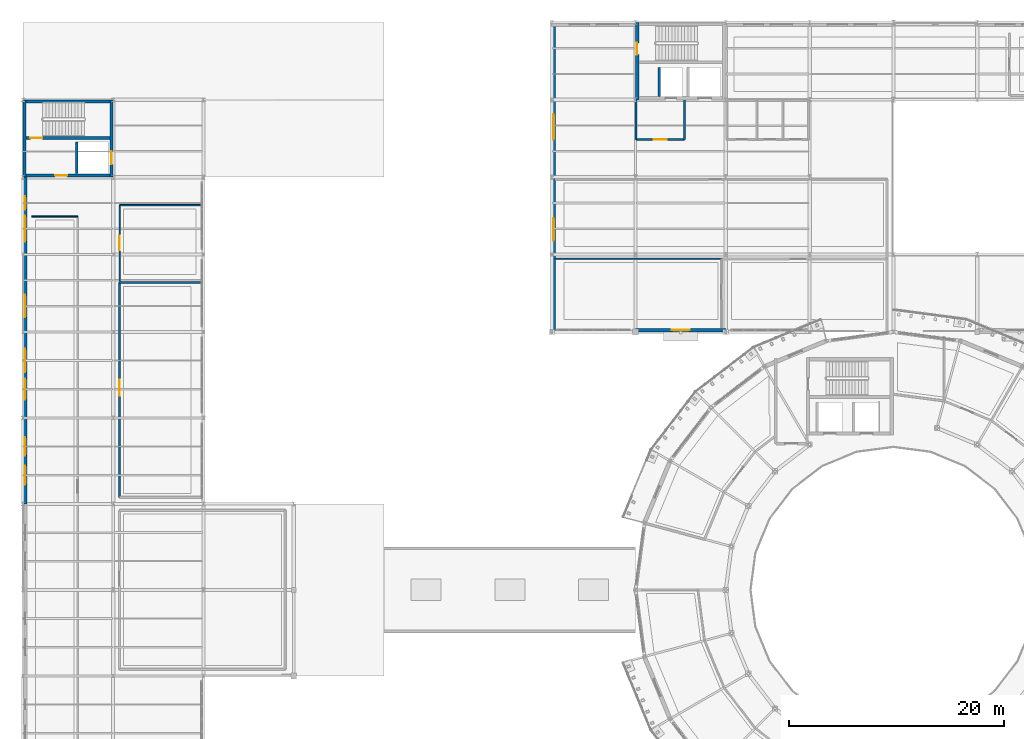
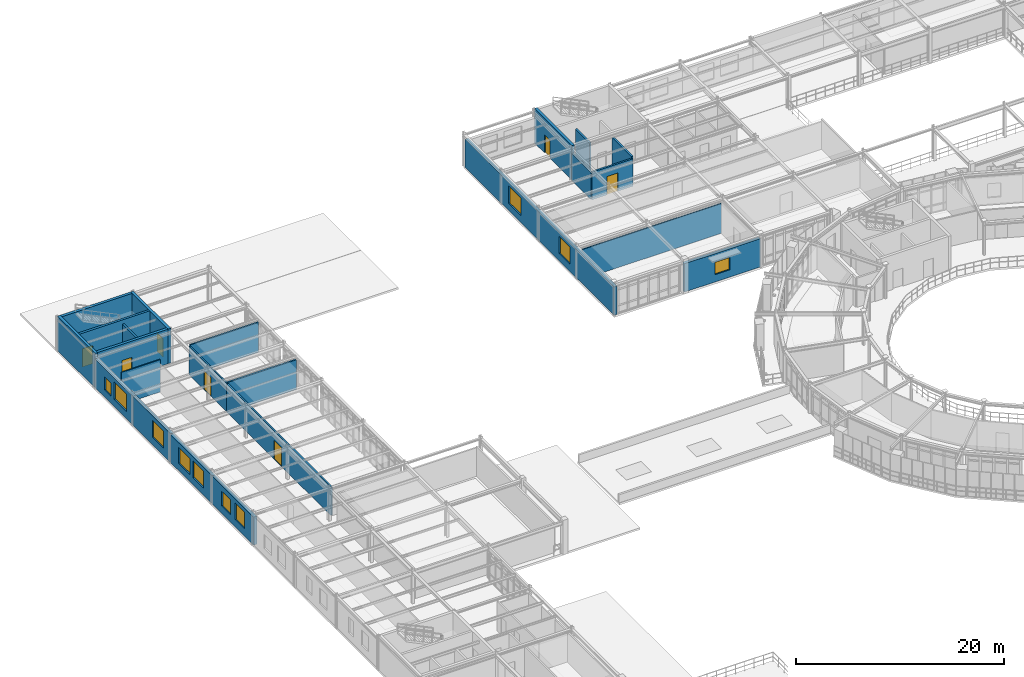
# One storey, part 56 of 70: 23 walls, 10 windows, 7 doors, 17 openings.
"""IFC4 building model written with IfcOpenShell, lengths in metres."""

from ifc_helpers import new_model, si_unit, derived_unit, direction, frame, frame_2d, origin, place, context, subcontext, project, spatial, rectangle, extrude, material, layer, layer_set, type_object, element, fill, save


model = new_model("IFC4")

# Units and contexts
model_context = context("Model", 3, precision=1e-05, world=origin(), true_north=direction((0.0, 1.0)))
body_context = subcontext(model_context, "Body", "Model", "MODEL_VIEW")
ifc_project = project(units=[si_unit("LENGTHUNIT", "METRE"), si_unit("AREAUNIT", "SQUARE_METRE"), si_unit("VOLUMEUNIT", "CUBIC_METRE"), si_unit("PLANEANGLEUNIT", "RADIAN"), si_unit("MASSUNIT", "GRAM", prefix="KILO"), derived_unit("THERMALTRANSMITTANCEUNIT", [(si_unit("POWERUNIT", "WATT"), 1), (si_unit("AREAUNIT", "SQUARE_METRE"), -1), (si_unit("THERMODYNAMICTEMPERATUREUNIT", "KELVIN"), -1)])], contexts=[model_context])

# Site, building, storey
site_placement = place(None, origin())
site = spatial("IfcSite", under=ifc_project, at=site_placement, CompositionType="ELEMENT")
building_placement = place(site_placement, origin())
building = spatial("IfcBuilding", under=site, at=building_placement, Name="Yasenodar Specialist Clinic", CompositionType="ELEMENT")
storey_placement = place(building_placement, frame((0.0, 0.0, 13.199951171875)))
storey = spatial("IfcBuildingStorey", under=building, at=storey_placement, Name="L03", CompositionType="ELEMENT", Elevation=13.199951171875)

# Wall, openings, windows
ifc_material_1 = material(Name="Buff Architectural Terracotta Rainscreen", Category="masonry")
ifc_layer_1 = layer(ifc_material_1, 0.340087890625)
ifc_layer_set_1 = layer_set([ifc_layer_1], Name="Buff Architectural Terracotta Rainscreen")
wall_type_1 = type_object("IfcWallType", Name="EW-TERR-340", PredefinedType="SOLIDWALL", material=ifc_layer_set_1)
wall_1_placement = place(storey_placement, frame((0.199951171875, 66.800048828125, 0.0), z_axis=(0.0, 0.0, 1.0), x_axis=(0.0, 1.0, 0.0)))
wall_1 = element("IfcWall", 1, at=wall_1_placement, inside=storey, type_object=wall_type_1, Name="L03 Exterior Facade Wall 0114", PredefinedType="SOLIDWALL", context=body_context, shape_type="SweptSolid", body=[
    extrude(rectangle(XDim=8.0, YDim=0.340087890625, at=frame_2d((4.0, 0.0))), origin(), (0.0, 0.0, 1.0), 3.278076171875),
])
opening_1_placement = place(wall_1_placement, frame((1.7666015625, 0.0, 0.85009765625)))
opening_1 = element("IfcOpeningElement", 2, at=opening_1_placement, cuts=wall_1, Name="Opening W-05", PredefinedType="OPENING", context=body_context, shape_type="SweptSolid", body=[
    extrude(rectangle(XDim=1.800048828125, YDim=1.949951171875, at=frame_2d((0.89990234375, 0.97509765625))), frame((0.0, 0.18017578125, 0.0), z_axis=(0.0, -1.0, 0.0), x_axis=(1.0, 0.0, 0.0)), (0.0, 0.0, 1.0), 0.360107421875),
])
opening_2_placement = place(wall_1_placement, frame((4.4833984375, 0.0, 0.85009765625)))
opening_2 = element("IfcOpeningElement", 3, at=opening_2_placement, cuts=wall_1, Name="Opening W-12", PredefinedType="OPENING", context=body_context, shape_type="SweptSolid", body=[
    extrude(rectangle(XDim=1.699951171875, YDim=1.75, at=frame_2d((0.85009765625, 0.875))), frame((0.0, 0.18017578125, 0.0), z_axis=(0.0, -1.0, 0.0), x_axis=(1.0, 0.0, 0.0)), (0.0, 0.0, 1.0), 0.360107421875),
])
ifc_material_2 = material(Name="Triple Low-E Argon Glazing in Bronze Aluminium Frame", Category="aluminium")
window_type_1 = type_object("IfcWindowType", Name="WIN-EXT-05", PartitioningType="SINGLE_PANEL", PredefinedType="WINDOW", material=ifc_material_2)
window_1_placement = place(opening_1_placement, origin())
window_1 = element("IfcWindow", 4, at=window_1_placement, inside=storey, type_object=window_type_1, Name="L03 Triple-Glazed Reveal Window 0117", OverallHeight=1.949951171875, OverallWidth=1.800048828125, PartitioningType="SINGLE_PANEL", PredefinedType="WINDOW", context=body_context, shape_type="SweptSolid", body=[
    extrude(rectangle(XDim=1.800048828125, YDim=1.949951171875, at=frame_2d((0.89990234375, 0.97509765625))), frame((0.0, 0.030029296875, 0.0), z_axis=(0.0, -1.0, 0.0), x_axis=(1.0, 0.0, 0.0)), (0.0, 0.0, 1.0), 0.06005859375),
])
fill(opening_1, window_1)
window_type_2 = type_object("IfcWindowType", Name="WIN-EXT-12", PartitioningType="SINGLE_PANEL", PredefinedType="WINDOW", material=ifc_material_2)
window_2_placement = place(opening_2_placement, origin())
window_2 = element("IfcWindow", 5, at=window_2_placement, inside=storey, type_object=window_type_2, Name="L03 Triple-Glazed Reveal Window 0118", OverallHeight=1.75, OverallWidth=1.699951171875, PartitioningType="SINGLE_PANEL", PredefinedType="WINDOW", context=body_context, shape_type="SweptSolid", body=[
    extrude(rectangle(XDim=1.699951171875, YDim=1.75, at=frame_2d((0.85009765625, 0.875))), frame((0.0, 0.030029296875, 0.0), z_axis=(0.0, -1.0, 0.0), x_axis=(1.0, 0.0, 0.0)), (0.0, 0.0, 1.0), 0.06005859375),
])
fill(opening_2, window_2)

wall_2_placement = place(storey_placement, frame((0.199951171875, 74.800048828125, 0.0), z_axis=(0.0, 0.0, 1.0), x_axis=(0.0, 1.0, 0.0)))
wall_2 = element("IfcWall", 6, at=wall_2_placement, inside=storey, type_object=wall_type_1, Name="L03 Exterior Facade Wall 0115", PredefinedType="SOLIDWALL", context=body_context, shape_type="SweptSolid", body=[
    extrude(rectangle(XDim=8.0, YDim=0.340087890625, at=frame_2d((4.0, 0.0))), origin(), (0.0, 0.0, 1.0), 3.278076171875),
])
opening_3_placement = place(wall_2_placement, frame((1.666748046875, 0.0, 0.85009765625)))
opening_3 = element("IfcOpeningElement", 7, at=opening_3_placement, cuts=wall_2, Name="Opening W-06", PredefinedType="OPENING", context=body_context, shape_type="SweptSolid", body=[
    extrude(rectangle(XDim=2.0, YDim=1.949951171875, at=frame_2d((1.0, 0.97509765625))), frame((0.0, 0.18017578125, 0.0), z_axis=(0.0, -1.0, 0.0), x_axis=(1.0, 0.0, 0.0)), (0.0, 0.0, 1.0), 0.360107421875),
])
opening_4_placement = place(wall_2_placement, frame((4.2333984375, 0.0, 0.85009765625)))
opening_4 = element("IfcOpeningElement", 8, at=opening_4_placement, cuts=wall_2, Name="Opening W-13", PredefinedType="OPENING", context=body_context, shape_type="SweptSolid", body=[
    extrude(rectangle(XDim=2.199951171875, YDim=1.85009765625, at=frame_2d((1.10009765625, 0.925048828125))), frame((0.0, 0.18017578125, 0.0), z_axis=(0.0, -1.0, 0.0), x_axis=(1.0, 0.0, 0.0)), (0.0, 0.0, 1.0), 0.360107421875),
])
window_type_3 = type_object("IfcWindowType", Name="WIN-EXT-06", PartitioningType="SINGLE_PANEL", PredefinedType="WINDOW", material=ifc_material_2)
window_3_placement = place(opening_3_placement, origin())
window_3 = element("IfcWindow", 9, at=window_3_placement, inside=storey, type_object=window_type_3, Name="L03 Triple-Glazed Reveal Window 0119", OverallHeight=1.949951171875, OverallWidth=2.0, PartitioningType="SINGLE_PANEL", PredefinedType="WINDOW", context=body_context, shape_type="SweptSolid", body=[
    extrude(rectangle(XDim=2.0, YDim=1.949951171875, at=frame_2d((1.0, 0.97509765625))), frame((0.0, 0.030029296875, 0.0), z_axis=(0.0, -1.0, 0.0), x_axis=(1.0, 0.0, 0.0)), (0.0, 0.0, 1.0), 0.06005859375),
])
fill(opening_3, window_3)
window_type_4 = type_object("IfcWindowType", Name="WIN-EXT-13", PartitioningType="SINGLE_PANEL", PredefinedType="WINDOW", material=ifc_material_2)
window_4_placement = place(opening_4_placement, origin())
window_4 = element("IfcWindow", 10, at=window_4_placement, inside=storey, type_object=window_type_4, Name="L03 Triple-Glazed Reveal Window 0120", OverallHeight=1.85009765625, OverallWidth=2.199951171875, PartitioningType="SINGLE_PANEL", PredefinedType="WINDOW", context=body_context, shape_type="SweptSolid", body=[
    extrude(rectangle(XDim=2.199951171875, YDim=1.85009765625, at=frame_2d((1.10009765625, 0.925048828125))), frame((0.0, 0.030029296875, 0.0), z_axis=(0.0, -1.0, 0.0), x_axis=(1.0, 0.0, 0.0)), (0.0, 0.0, 1.0), 0.06005859375),
])
fill(opening_4, window_4)

# Wall, opening, window
wall_3_placement = place(storey_placement, frame((0.199951171875, 82.800048828125, 0.0), z_axis=(0.0, 0.0, 1.0), x_axis=(0.0, 1.0, 0.0)))
wall_3 = element("IfcWall", 11, at=wall_3_placement, inside=storey, type_object=wall_type_1, Name="L03 Exterior Facade Wall 0116", PredefinedType="SOLIDWALL", context=body_context, shape_type="SweptSolid", body=[
    extrude(rectangle(XDim=7.199951171875, YDim=0.340087890625, at=frame_2d((3.60009765625, 0.0))), origin(), (0.0, 0.0, 1.0), 3.3779296875),
])
opening_5_placement = place(wall_3_placement, frame((1.35009765625, 0.0, 0.85009765625)))
opening_5 = element("IfcOpeningElement", 12, at=opening_5_placement, cuts=wall_3, Name="Opening W-07", PredefinedType="OPENING", context=body_context, shape_type="SweptSolid", body=[
    extrude(rectangle(XDim=2.10009765625, YDim=2.0, at=frame_2d((1.050048828125, 1.0))), frame((0.0, 0.18017578125, 0.0), z_axis=(0.0, -1.0, 0.0), x_axis=(1.0, 0.0, 0.0)), (0.0, 0.0, 1.0), 0.360107421875),
])
window_type_5 = type_object("IfcWindowType", Name="WIN-EXT-07", PartitioningType="SINGLE_PANEL", PredefinedType="WINDOW", material=ifc_material_2)
window_5_placement = place(opening_5_placement, origin())
window_5 = element("IfcWindow", 13, at=window_5_placement, inside=storey, type_object=window_type_5, Name="L03 Triple-Glazed Reveal Window 0121", OverallHeight=2.0, OverallWidth=2.10009765625, PartitioningType="SINGLE_PANEL", PredefinedType="WINDOW", context=body_context, shape_type="SweptSolid", body=[
    extrude(rectangle(XDim=2.10009765625, YDim=2.0, at=frame_2d((1.050048828125, 1.0))), frame((0.0, 0.030029296875, 0.0), z_axis=(0.0, -1.0, 0.0), x_axis=(1.0, 0.0, 0.0)), (0.0, 0.0, 1.0), 0.06005859375),
])
fill(opening_5, window_5)

# Wall, openings, windows
wall_4_placement = place(storey_placement, frame((0.199951171875, 90.0, 0.0), z_axis=(0.0, 0.0, 1.0), x_axis=(0.0, 1.0, 0.0)))
wall_4 = element("IfcWall", 14, at=wall_4_placement, inside=storey, type_object=wall_type_1, Name="L03 Exterior Facade Wall 0117", PredefinedType="SOLIDWALL", context=body_context, shape_type="SweptSolid", body=[
    extrude(rectangle(XDim=7.199951171875, YDim=0.340087890625, at=frame_2d((3.60009765625, 0.0))), origin(), (0.0, 0.0, 1.0), 3.3779296875),
])
opening_6_placement = place(wall_4_placement, frame((1.199951171875, 0.0, 0.85009765625)))
opening_6 = element("IfcOpeningElement", 15, at=opening_6_placement, cuts=wall_4, Name="Opening W-08", PredefinedType="OPENING", context=body_context, shape_type="SweptSolid", body=[
    extrude(rectangle(XDim=2.39990234375, YDim=2.050048828125, at=frame_2d((1.199951171875, 1.02490234375))), frame((0.0, 0.18017578125, 0.0), z_axis=(0.0, -1.0, 0.0), x_axis=(1.0, 0.0, 0.0)), (0.0, 0.0, 1.0), 0.360107421875),
])
opening_7_placement = place(wall_4_placement, frame((4.175048828125, 0.0, 0.85009765625)))
opening_7 = element("IfcOpeningElement", 16, at=opening_7_placement, cuts=wall_4, Name="Opening W-15", PredefinedType="OPENING", context=body_context, shape_type="SweptSolid", body=[
    extrude(rectangle(XDim=1.25, YDim=1.5, at=frame_2d((0.625, 0.75))), frame((0.0, 0.18017578125, 0.0), z_axis=(0.0, -1.0, 0.0), x_axis=(1.0, 0.0, 0.0)), (0.0, 0.0, 1.0), 0.360107421875),
])
window_type_6 = type_object("IfcWindowType", Name="WIN-EXT-08", PartitioningType="SINGLE_PANEL", PredefinedType="WINDOW", material=ifc_material_2)
window_6_placement = place(opening_6_placement, origin())
window_6 = element("IfcWindow", 17, at=window_6_placement, inside=storey, type_object=window_type_6, Name="L03 Triple-Glazed Reveal Window 0122", OverallHeight=2.050048828125, OverallWidth=2.39990234375, PartitioningType="SINGLE_PANEL", PredefinedType="WINDOW", context=body_context, shape_type="SweptSolid", body=[
    extrude(rectangle(XDim=2.39990234375, YDim=2.050048828125, at=frame_2d((1.199951171875, 1.02490234375))), frame((0.0, 0.030029296875, 0.0), z_axis=(0.0, -1.0, 0.0), x_axis=(1.0, 0.0, 0.0)), (0.0, 0.0, 1.0), 0.06005859375),
])
fill(opening_6, window_6)
window_type_7 = type_object("IfcWindowType", Name="WIN-EXT-15", PartitioningType="SINGLE_PANEL", PredefinedType="WINDOW", material=ifc_material_2)
window_7_placement = place(opening_7_placement, origin())
window_7 = element("IfcWindow", 18, at=window_7_placement, inside=storey, type_object=window_type_7, Name="L03 Triple-Glazed Reveal Window 0123", OverallHeight=1.5, OverallWidth=1.25, PartitioningType="SINGLE_PANEL", PredefinedType="WINDOW", context=body_context, shape_type="SweptSolid", body=[
    extrude(rectangle(XDim=1.25, YDim=1.5, at=frame_2d((0.625, 0.75))), frame((0.0, 0.030029296875, 0.0), z_axis=(0.0, -1.0, 0.0), x_axis=(1.0, 0.0, 0.0)), (0.0, 0.0, 1.0), 0.06005859375),
])
fill(opening_7, window_7)

# Wall, opening, window
wall_5_placement = place(storey_placement, frame((65.39990234375, 82.969970703125, 0.0), z_axis=(0.0, 0.0, 1.0), x_axis=(-1.0, 0.0, 0.0)))
wall_5 = element("IfcWall", 19, at=wall_5_placement, inside=storey, type_object=wall_type_1, Name="L03 Exterior Facade Wall 0144", PredefinedType="SOLIDWALL", context=body_context, shape_type="SweptSolid", body=[
    extrude(rectangle(XDim=8.39990234375, YDim=0.340087890625, at=frame_2d((4.199951171875, 0.0))), origin(), (0.0, 0.0, 1.0), 3.318115234375),
])
opening_8_placement = place(wall_5_placement, frame((3.375, 0.0, 0.85009765625)))
opening_8 = element("IfcOpeningElement", 20, at=opening_8_placement, cuts=wall_5, Name="Opening W-20", PredefinedType="OPENING", context=body_context, shape_type="SweptSolid", body=[
    extrude(rectangle(XDim=1.64990234375, YDim=1.449951171875, at=frame_2d((0.824951171875, 0.72509765625))), frame((0.0, 0.18017578125, 0.0), z_axis=(0.0, -1.0, 0.0), x_axis=(1.0, 0.0, 0.0)), (0.0, 0.0, 1.0), 0.360107421875),
])
window_type_8 = type_object("IfcWindowType", Name="WIN-EXT-20", PartitioningType="SINGLE_PANEL", PredefinedType="WINDOW", material=ifc_material_2)
window_8_placement = place(opening_8_placement, origin())
window_8 = element("IfcWindow", 21, at=window_8_placement, inside=storey, type_object=window_type_8, Name="L03 Triple-Glazed Reveal Window 0160", OverallHeight=1.449951171875, OverallWidth=1.64990234375, PartitioningType="SINGLE_PANEL", PredefinedType="WINDOW", context=body_context, shape_type="SweptSolid", body=[
    extrude(rectangle(XDim=1.64990234375, YDim=1.449951171875, at=frame_2d((0.824951171875, 0.72509765625))), frame((0.0, 0.030029296875, 0.0), z_axis=(0.0, -1.0, 0.0), x_axis=(1.0, 0.0, 0.0)), (0.0, 0.0, 1.0), 0.06005859375),
])
fill(opening_8, window_8)

# Wall, openings, windows
wall_6_placement = place(storey_placement, frame((49.3701171875, 82.800048828125, 0.0), z_axis=(0.0, 0.0, 1.0), x_axis=(0.0, 1.0, 0.0)))
wall_6 = element("IfcWall", 22, at=wall_6_placement, inside=storey, type_object=wall_type_1, Name="L03 Exterior Facade Wall 0160", PredefinedType="SOLIDWALL", context=body_context, shape_type="SweptSolid", body=[
    extrude(rectangle(XDim=28.599853515625, YDim=0.340087890625, at=frame_2d((14.2998046875, 0.0))), origin(), (0.0, 0.0, 1.0), 3.318115234375),
])
opening_9_placement = place(wall_6_placement, frame((8.4833984375, 0.0, 0.85009765625)))
opening_9 = element("IfcOpeningElement", 23, at=opening_9_placement, cuts=wall_6, Name="Opening W-07", PredefinedType="OPENING", context=body_context, shape_type="SweptSolid", body=[
    extrude(rectangle(XDim=2.10009765625, YDim=2.0, at=frame_2d((1.050048828125, 1.0))), frame((0.0, 0.18017578125, 0.0), z_axis=(0.0, -1.0, 0.0), x_axis=(1.0, 0.0, 0.0)), (0.0, 0.0, 1.0), 0.360107421875),
])
opening_10_placement = place(wall_6_placement, frame((17.86669921875, 0.0, 0.85009765625)))
opening_10 = element("IfcOpeningElement", 24, at=opening_10_placement, cuts=wall_6, Name="Opening W-08", PredefinedType="OPENING", context=body_context, shape_type="SweptSolid", body=[
    extrude(rectangle(XDim=2.39990234375, YDim=2.050048828125, at=frame_2d((1.199951171875, 1.02490234375))), frame((0.0, 0.18017578125, 0.0), z_axis=(0.0, -1.0, 0.0), x_axis=(1.0, 0.0, 0.0)), (0.0, 0.0, 1.0), 0.360107421875),
])
window_9_placement = place(opening_9_placement, origin())
window_9 = element("IfcWindow", 25, at=window_9_placement, inside=storey, type_object=window_type_5, Name="L03 Triple-Glazed Reveal Window 0176", OverallHeight=2.0, OverallWidth=2.10009765625, PartitioningType="SINGLE_PANEL", PredefinedType="WINDOW", context=body_context, shape_type="SweptSolid", body=[
    extrude(rectangle(XDim=2.10009765625, YDim=2.0, at=frame_2d((1.050048828125, 1.0))), frame((0.0, 0.030029296875, 0.0), z_axis=(0.0, -1.0, 0.0), x_axis=(1.0, 0.0, 0.0)), (0.0, 0.0, 1.0), 0.06005859375),
])
fill(opening_9, window_9)
window_10_placement = place(opening_10_placement, origin())
window_10 = element("IfcWindow", 26, at=window_10_placement, inside=storey, type_object=window_type_6, Name="L03 Triple-Glazed Reveal Window 0177", OverallHeight=2.050048828125, OverallWidth=2.39990234375, PartitioningType="SINGLE_PANEL", PredefinedType="WINDOW", context=body_context, shape_type="SweptSolid", body=[
    extrude(rectangle(XDim=2.39990234375, YDim=2.050048828125, at=frame_2d((1.199951171875, 1.02490234375))), frame((0.0, 0.030029296875, 0.0), z_axis=(0.0, -1.0, 0.0), x_axis=(1.0, 0.0, 0.0)), (0.0, 0.0, 1.0), 0.06005859375),
])
fill(opening_10, window_10)

# Wall, opening, door
ifc_material_3 = material(Name="Acoustic Double-Gypsum Consulting Partition")
ifc_layer_2 = layer(ifc_material_3, 0.159912109375)
ifc_layer_set_2 = layer_set([ifc_layer_2], Name="Acoustic Double-Gypsum Consulting Partition")
wall_type_2 = type_object("IfcWallType", Name="IW-CONS-160", PredefinedType="PARTITIONING", material=ifc_layer_set_2)
wall_7_placement = place(storey_placement, frame((9.0, 94.60009765625, 0.0), z_axis=(0.0, 0.0, 1.0), x_axis=(0.0, -1.0, 0.0)))
wall_7 = element("IfcWall", 27, at=wall_7_placement, inside=storey, type_object=wall_type_2, Name="L03 Cast Removal and Orthotics Room Partition", PredefinedType="PARTITIONING", context=body_context, shape_type="SweptSolid", body=[
    extrude(rectangle(XDim=7.130126953125, YDim=0.159912109375, at=frame_2d((3.56494140625, 0.0))), origin(), (0.0, 0.0, 1.0), 3.338134765625),
])
opening_11_placement = place(wall_7_placement, frame((2.85009765625, 0.0, 0.0)))
opening_11 = element("IfcOpeningElement", 28, at=opening_11_placement, cuts=wall_7, Name="Opening D-11", PredefinedType="OPENING", context=body_context, shape_type="SweptSolid", body=[
    extrude(rectangle(XDim=1.360107421875, YDim=2.199951171875, at=frame_2d((0.68017578125, 1.10009765625))), frame((0.0, 0.08984375, 0.0), z_axis=(0.0, -1.0, 0.0), x_axis=(1.0, 0.0, 0.0)), (0.0, 0.0, 1.0), 0.179931640625),
])
ifc_material_4 = material(Name="Powder-Coated Steel and Acoustic Laminate Leaf", Category="steel")
door_type_1 = type_object("IfcDoorType", Name="DR-PLT-136", OperationType="NOTDEFINED", PredefinedType="DOOR", material=ifc_material_4)
door_1_placement = place(opening_11_placement, origin())
door_1 = element("IfcDoor", 29, at=door_1_placement, inside=storey, type_object=door_type_1, Name="L03 Cast Removal and Orthotics Room Door", OperationType="SINGLE_SWING_LEFT", OverallHeight=2.199951171875, OverallWidth=1.360107421875, PredefinedType="DOOR", context=body_context, shape_type="SweptSolid", body=[
    extrude(rectangle(XDim=1.360107421875, YDim=2.199951171875, at=frame_2d((0.68017578125, 1.10009765625))), frame((0.0, 0.02490234375, 0.0), z_axis=(0.0, -1.0, 0.0), x_axis=(1.0, 0.0, 0.0)), (0.0, 0.0, 1.0), 0.050048828125),
])
fill(opening_11, door_1)

# Wall
wall_8_placement = place(storey_placement, frame((16.590087890625, 94.60009765625, 0.0), z_axis=(0.0, 0.0, 1.0), x_axis=(-1.0, 0.0, 0.0)))
element("IfcWall", 30, at=wall_8_placement, inside=storey, type_object=wall_type_2, Name="L03 Cast Removal and Orthotics Room Partition", PredefinedType="PARTITIONING", context=body_context, shape_type="SweptSolid", body=[
    extrude(rectangle(XDim=7.590087890625, YDim=0.159912109375, at=frame_2d((3.794921875, 0.0))), origin(), (0.0, 0.0, 1.0), 3.498046875),
])

# Wall, opening, door
ifc_material_5 = material(Name="Fire-Rated Gypsum and Mineral-Wool Wall")
ifc_layer_3 = layer(ifc_material_5, 0.195068359375)
ifc_layer_set_3 = layer_set([ifc_layer_3], Name="Fire-Rated Gypsum and Mineral-Wool Wall")
wall_type_3 = type_object("IfcWallType", Name="IW-LOBBY-195", PredefinedType="PARTITIONING", material=ifc_layer_set_3)
wall_9_placement = place(storey_placement, frame((57.050048828125, 100.699951171875, 0.0), z_axis=(0.0, 0.0, 1.0), x_axis=(1.0, 0.0, 0.0)))
wall_9 = element("IfcWall", 31, at=wall_9_placement, inside=storey, type_object=wall_type_3, Name="L03 C4 Firefighting Lobby South Wall", PredefinedType="PARTITIONING", context=body_context, shape_type="SweptSolid", body=[
    extrude(rectangle(XDim=4.5, YDim=0.195068359375, at=frame_2d((2.25, 0.0))), origin(), (0.0, 0.0, 1.0), 3.22802734375),
])
opening_12_placement = place(wall_9_placement, frame((1.64990234375, 0.0, 0.0)))
opening_12 = element("IfcOpeningElement", 32, at=opening_12_placement, cuts=wall_9, Name="Opening FD-02", PredefinedType="OPENING", context=body_context, shape_type="SweptSolid", body=[
    extrude(rectangle(XDim=1.199951171875, YDim=2.14990234375, at=frame_2d((0.60009765625, 1.074951171875))), frame((0.0, 0.107421875, 0.0), z_axis=(0.0, -1.0, 0.0), x_axis=(1.0, 0.0, 0.0)), (0.0, 0.0, 1.0), 0.215087890625),
])
ifc_material_6 = material(Name="Fire-Rated Insulated Steel Door", Category="steel")
door_type_2 = type_object("IfcDoorType", Name="DR-FD-120", OperationType="NOTDEFINED", PredefinedType="DOOR", material=ifc_material_6)
door_2_placement = place(opening_12_placement, origin())
door_2 = element("IfcDoor", 33, at=door_2_placement, inside=storey, type_object=door_type_2, Name="L03 C4 Firefighting Lobby Door", OperationType="SINGLE_SWING_RIGHT", OverallHeight=2.14990234375, OverallWidth=1.199951171875, PredefinedType="DOOR", context=body_context, shape_type="SweptSolid", body=[
    extrude(rectangle(XDim=1.199951171875, YDim=2.14990234375, at=frame_2d((0.60009765625, 1.074951171875))), frame((0.0, 0.02490234375, 0.0), z_axis=(0.0, -1.0, 0.0), x_axis=(1.0, 0.0, 0.0)), (0.0, 0.0, 1.0), 0.050048828125),
])
fill(opening_12, door_2)

# Walls
wall_10_placement = place(storey_placement, frame((61.550048828125, 100.699951171875, 0.0), z_axis=(0.0, 0.0, 1.0), x_axis=(0.0, 1.0, 0.0)))
element("IfcWall", 34, at=wall_10_placement, inside=storey, type_object=wall_type_3, Name="L03 C4 Firefighting Lobby East Wall", PredefinedType="PARTITIONING", context=body_context, shape_type="SweptSolid", body=[
    extrude(rectangle(XDim=3.699951171875, YDim=0.195068359375, at=frame_2d((1.85009765625, 0.0))), origin(), (0.0, 0.0, 1.0), 3.447998046875),
])
wall_11_placement = place(storey_placement, frame((57.050048828125, 100.699951171875, 0.0), z_axis=(0.0, 0.0, 1.0), x_axis=(0.0, 1.0, 0.0)))
element("IfcWall", 35, at=wall_11_placement, inside=storey, type_object=wall_type_3, Name="L03 C4 Firefighting Lobby West Wall", PredefinedType="PARTITIONING", context=body_context, shape_type="SweptSolid", body=[
    extrude(rectangle(XDim=3.699951171875, YDim=0.195068359375, at=frame_2d((1.85009765625, 0.0))), origin(), (0.0, 0.0, 1.0), 3.177978515625),
])
ifc_material_7 = material(Name="Lightweight Counseling Partition")
ifc_layer_4 = layer(ifc_material_7, 0.114990234375)
ifc_layer_set_4 = layer_set([ifc_layer_4], Name="Lightweight Counseling Partition")
wall_type_4 = type_object("IfcWallType", Name="IW-PART-115", PredefinedType="PARTITIONING", material=ifc_layer_set_4)
wall_12_placement = place(storey_placement, frame((5.10009765625, 93.550048828125, 0.0), z_axis=(0.0, 0.0, 1.0), x_axis=(-1.0, 0.0, 0.0)))
element("IfcWall", 36, at=wall_12_placement, inside=storey, type_object=wall_type_4, Name="L03 Ophthalmology Examination Suite Partition", PredefinedType="PARTITIONING", context=body_context, shape_type="SweptSolid", body=[
    extrude(rectangle(XDim=4.300048828125, YDim=0.114990234375, at=frame_2d((2.14990234375, 0.0))), origin(), (0.0, 0.0, 1.0), 3.780029296875),
])
wall_13_placement = place(storey_placement, frame((49.52001953125, 89.60009765625, 0.0), z_axis=(0.0, 0.0, 1.0), x_axis=(1.0, 0.0, 0.0)))
element("IfcWall", 37, at=wall_13_placement, inside=storey, type_object=wall_type_4, Name="L03 Automated Biochemistry Laboratory Partition", PredefinedType="PARTITIONING", context=body_context, shape_type="SweptSolid", body=[
    extrude(rectangle(XDim=15.47998046875, YDim=0.114990234375, at=frame_2d((7.739990234375, 0.0))), origin(), (0.0, 0.0, 1.0), 3.488037109375),
])

# Wall, opening, door
ifc_material_8 = material(Name="Hygienic Double-Stud Clinical Partition")
ifc_layer_5 = layer(ifc_material_8, 0.179931640625)
ifc_layer_set_5 = layer_set([ifc_layer_5], Name="Hygienic Double-Stud Clinical Partition")
wall_type_5 = type_object("IfcWallType", Name="IW-PROC-180", PredefinedType="PARTITIONING", material=ifc_layer_set_5)
wall_14_placement = place(storey_placement, frame((9.0, 67.39990234375, 0.0), z_axis=(0.0, 0.0, 1.0), x_axis=(0.0, 1.0, 0.0)))
wall_14 = element("IfcWall", 38, at=wall_14_placement, inside=storey, type_object=wall_type_5, Name="L03 Plaster and Splint Procedure Room Partition", PredefinedType="PARTITIONING", context=body_context, shape_type="SweptSolid", body=[
    extrude(rectangle(XDim=20.0, YDim=0.179931640625, at=frame_2d((10.0, 0.0))), origin(), (0.0, 0.0, 1.0), 3.328125),
])
opening_13_placement = place(wall_14_placement, frame((9.449951171875, 0.0, 0.0)))
opening_13 = element("IfcOpeningElement", 39, at=opening_13_placement, cuts=wall_14, Name="Opening D-09", PredefinedType="OPENING", context=body_context, shape_type="SweptSolid", body=[
    extrude(rectangle(XDim=1.47998046875, YDim=2.239990234375, at=frame_2d((0.739990234375, 1.1201171875))), frame((0.0, 0.10009765625, 0.0), z_axis=(0.0, -1.0, 0.0), x_axis=(1.0, 0.0, 0.0)), (0.0, 0.0, 1.0), 0.199951171875),
])
door_type_3 = type_object("IfcDoorType", Name="DR-BED-148", OperationType="DOUBLE_DOOR_SINGLE_SWING", PredefinedType="DOOR", material=ifc_material_4)
door_3_placement = place(opening_13_placement, origin())
door_3 = element("IfcDoor", 40, at=door_3_placement, inside=storey, type_object=door_type_3, Name="L03 Plaster and Splint Procedure Room Door", OperationType="DOUBLE_DOOR_SINGLE_SWING", OverallHeight=2.239990234375, OverallWidth=1.47998046875, PredefinedType="DOOR", context=body_context, shape_type="SweptSolid", body=[
    extrude(rectangle(XDim=1.47998046875, YDim=2.239990234375, at=frame_2d((0.739990234375, 1.1201171875))), frame((0.0, 0.02490234375, 0.0), z_axis=(0.0, -1.0, 0.0), x_axis=(1.0, 0.0, 0.0)), (0.0, 0.0, 1.0), 0.050048828125),
])
fill(opening_13, door_3)

# Walls
wall_15_placement = place(storey_placement, frame((9.0, 87.39990234375, 0.0), z_axis=(0.0, 0.0, 1.0), x_axis=(1.0, 0.0, 0.0)))
element("IfcWall", 41, at=wall_15_placement, inside=storey, type_object=wall_type_5, Name="L03 Plaster and Splint Procedure Room Partition", PredefinedType="PARTITIONING", context=body_context, shape_type="SweptSolid", body=[
    extrude(rectangle(XDim=7.590087890625, YDim=0.179931640625, at=frame_2d((3.794921875, 0.0))), origin(), (0.0, 0.0, 1.0), 3.47802734375),
])
ifc_material_9 = material(Name="Aerated Concrete Blockwork Fire Shaft Wall", Category="masonry")
ifc_layer_6 = layer(ifc_material_9, 0.205078125)
ifc_layer_set_6 = layer_set([ifc_layer_6], Name="Aerated Concrete Blockwork Fire Shaft Wall")
wall_type_6 = type_object("IfcWallType", Name="IW-SHAFT-205", PredefinedType="PARTITIONING", material=ifc_layer_set_6)
wall_16_placement = place(storey_placement, frame((5.0, 97.550048828125, 0.0), z_axis=(0.0, 0.0, 1.0), x_axis=(0.0, 1.0, 0.0)))
element("IfcWall", 42, at=wall_16_placement, inside=storey, type_object=wall_type_6, Name="L03 LF-03 Lift Shaft Side Wall", PredefinedType="PARTITIONING", context=body_context, shape_type="SweptSolid", body=[
    extrude(rectangle(XDim=2.89990234375, YDim=0.205078125, at=frame_2d((1.449951171875, 0.0))), origin(), (0.0, 0.0, 1.0), 3.780029296875),
])
wall_17_placement = place(storey_placement, frame((59.199951171875, 104.699951171875, 0.0), z_axis=(0.0, 0.0, 1.0), x_axis=(0.0, 1.0, 0.0)))
element("IfcWall", 43, at=wall_17_placement, inside=storey, type_object=wall_type_6, Name="L03 LF-02 Lift Shaft Side Wall", PredefinedType="PARTITIONING", context=body_context, shape_type="SweptSolid", body=[
    extrude(rectangle(XDim=2.699951171875, YDim=0.205078125, at=frame_2d((1.35009765625, 0.0))), origin(), (0.0, 0.0, 1.0), 3.447998046875),
])

# Wall, opening, door
ifc_material_10 = material(Name="Concrete C35/45", Category="concrete")
ifc_layer_7 = layer(ifc_material_10, 0.25)
ifc_layer_set_7 = layer_set([ifc_layer_7], Name="Concrete C35/45")
wall_type_7 = type_object("IfcWallType", Name="WL-CORE-250", PredefinedType="SHEAR", material=ifc_layer_set_7)
wall_18_placement = place(storey_placement, frame((0.300048828125, 100.85009765625, 0.0), z_axis=(0.0, 0.0, 1.0), x_axis=(1.0, 0.0, 0.0)))
wall_18 = element("IfcWall", 44, at=wall_18_placement, inside=storey, type_object=wall_type_7, Name="L03 Core C2 Central Spine Wall", PredefinedType="SHEAR", context=body_context, shape_type="SweptSolid", body=[
    extrude(rectangle(XDim=7.800048828125, YDim=0.25, at=frame_2d((3.89990234375, 0.0))), origin(), (0.0, 0.0, 1.0), 4.050048828125),
])
opening_14_placement = place(wall_18_placement, frame((0.39990234375, 0.0, 0.0)))
opening_14 = element("IfcOpeningElement", 45, at=opening_14_placement, cuts=wall_18, Name="Opening FD-01", PredefinedType="OPENING", context=body_context, shape_type="SweptSolid", body=[
    extrude(rectangle(XDim=1.10009765625, YDim=2.14990234375, at=frame_2d((0.550048828125, 1.074951171875))), frame((0.0, 0.135009765625, 0.0), z_axis=(0.0, -1.0, 0.0), x_axis=(1.0, 0.0, 0.0)), (0.0, 0.0, 1.0), 0.27001953125),
])
door_type_4 = type_object("IfcDoorType", Name="DR-FD-110", OperationType="NOTDEFINED", PredefinedType="DOOR", material=ifc_material_6)
door_4_placement = place(opening_14_placement, origin())
door_4 = element("IfcDoor", 46, at=door_4_placement, inside=storey, type_object=door_type_4, Name="L03 ST-02 Protected Stair Door", OperationType="SINGLE_SWING_LEFT", OverallHeight=2.14990234375, OverallWidth=1.10009765625, PredefinedType="DOOR", context=body_context, shape_type="SweptSolid", body=[
    extrude(rectangle(XDim=1.10009765625, YDim=2.14990234375, at=frame_2d((0.550048828125, 1.074951171875))), frame((0.0, 0.02490234375, 0.0), z_axis=(0.0, -1.0, 0.0), x_axis=(1.0, 0.0, 0.0)), (0.0, 0.0, 1.0), 0.050048828125),
])
fill(opening_14, door_4)

# Wall
ifc_layer_8 = layer(ifc_material_10, 0.300048828125)
ifc_layer_set_8 = layer_set([ifc_layer_8], Name="Concrete C35/45")
wall_type_8 = type_object("IfcWallType", Name="WL-CORE-300", PredefinedType="SHEAR", material=ifc_layer_set_8)
wall_19_placement = place(storey_placement, frame((0.0, 104.25, 0.0), z_axis=(0.0, 0.0, 1.0), x_axis=(1.0, 0.0, 0.0)))
element("IfcWall", 47, at=wall_19_placement, inside=storey, type_object=wall_type_8, Name="L03 Core C2 North Shear Wall", PredefinedType="SHEAR", context=body_context, shape_type="SweptSolid", body=[
    extrude(rectangle(XDim=8.39990234375, YDim=0.300048828125, at=frame_2d((4.199951171875, 0.0))), origin(), (0.0, 0.0, 1.0), 4.050048828125),
])

# Wall, opening, door
wall_20_placement = place(storey_placement, frame((0.0, 97.35009765625, 0.0), z_axis=(0.0, 0.0, 1.0), x_axis=(1.0, 0.0, 0.0)))
wall_20 = element("IfcWall", 48, at=wall_20_placement, inside=storey, type_object=wall_type_8, Name="L03 Core C2 South Shear Wall", PredefinedType="SHEAR", context=body_context, shape_type="SweptSolid", body=[
    extrude(rectangle(XDim=8.39990234375, YDim=0.300048828125, at=frame_2d((4.199951171875, 0.0))), origin(), (0.0, 0.0, 1.0), 4.050048828125),
])
opening_15_placement = place(wall_20_placement, frame((3.0, 0.0, 0.0)))
opening_15 = element("IfcOpeningElement", 49, at=opening_15_placement, cuts=wall_20, Name="Opening FD-01", PredefinedType="OPENING", context=body_context, shape_type="SweptSolid", body=[
    extrude(rectangle(XDim=1.10009765625, YDim=2.14990234375, at=frame_2d((0.550048828125, 1.074951171875))), frame((0.0, 0.16015625, 0.0), z_axis=(0.0, -1.0, 0.0), x_axis=(1.0, 0.0, 0.0)), (0.0, 0.0, 1.0), 0.320068359375),
])
door_5_placement = place(opening_15_placement, origin())
door_5 = element("IfcDoor", 50, at=door_5_placement, inside=storey, type_object=door_type_4, Name="L03 Stair ST-02 Vestibule Door", OperationType="SINGLE_SWING_LEFT", OverallHeight=2.14990234375, OverallWidth=1.10009765625, PredefinedType="DOOR", context=body_context, shape_type="SweptSolid", body=[
    extrude(rectangle(XDim=1.10009765625, YDim=2.14990234375, at=frame_2d((0.550048828125, 1.074951171875))), frame((0.0, 0.02490234375, 0.0), z_axis=(0.0, -1.0, 0.0), x_axis=(1.0, 0.0, 0.0)), (0.0, 0.0, 1.0), 0.050048828125),
])
fill(opening_15, door_5)

# Wall
wall_21_placement = place(storey_placement, frame((0.14990234375, 97.199951171875, 0.0), z_axis=(0.0, 0.0, 1.0), x_axis=(0.0, 1.0, 0.0)))
element("IfcWall", 51, at=wall_21_placement, inside=storey, type_object=wall_type_8, Name="L03 Core C2 West Shear Wall", PredefinedType="SHEAR", context=body_context, shape_type="SweptSolid", body=[
    extrude(rectangle(XDim=7.199951171875, YDim=0.300048828125, at=frame_2d((3.60009765625, 0.0))), origin(), (0.0, 0.0, 1.0), 4.050048828125),
])

# Wall, opening, door
wall_22_placement = place(storey_placement, frame((8.25, 97.199951171875, 0.0), z_axis=(0.0, 0.0, 1.0), x_axis=(0.0, 1.0, 0.0)))
wall_22 = element("IfcWall", 52, at=wall_22_placement, inside=storey, type_object=wall_type_8, Name="L03 Core C2 East Shear Wall", PredefinedType="SHEAR", context=body_context, shape_type="SweptSolid", body=[
    extrude(rectangle(XDim=7.199951171875, YDim=0.300048828125, at=frame_2d((3.60009765625, 0.0))), origin(), (0.0, 0.0, 1.0), 4.050048828125),
])
opening_16_placement = place(wall_22_placement, frame((1.199951171875, 0.0, 0.0)))
opening_16 = element("IfcOpeningElement", 53, at=opening_16_placement, cuts=wall_22, Name="Opening LD-02", PredefinedType="OPENING", context=body_context, shape_type="SweptSolid", body=[
    extrude(rectangle(XDim=1.199951171875, YDim=2.14990234375, at=frame_2d((0.60009765625, 1.074951171875))), frame((0.0, 0.16015625, 0.0), z_axis=(0.0, -1.0, 0.0), x_axis=(1.0, 0.0, 0.0)), (0.0, 0.0, 1.0), 0.320068359375),
])
door_type_5 = type_object("IfcDoorType", Name="DR-LD-120", OperationType="DOUBLE_DOOR_SLIDING", PredefinedType="DOOR", material=ifc_material_6)
door_6_placement = place(opening_16_placement, origin())
door_6 = element("IfcDoor", 54, at=door_6_placement, inside=storey, type_object=door_type_5, Name="L03 LF-03 Lift Landing Door", OperationType="DOUBLE_DOOR_SLIDING", OverallHeight=2.14990234375, OverallWidth=1.199951171875, PredefinedType="DOOR", context=body_context, shape_type="SweptSolid", body=[
    extrude(rectangle(XDim=1.199951171875, YDim=2.14990234375, at=frame_2d((0.60009765625, 1.074951171875))), frame((0.0, 0.02490234375, 0.0), z_axis=(0.0, -1.0, 0.0), x_axis=(1.0, 0.0, 0.0)), (0.0, 0.0, 1.0), 0.050048828125),
])
fill(opening_16, door_6)

wall_23_placement = place(storey_placement, frame((57.14990234375, 104.39990234375, 0.0), z_axis=(0.0, 0.0, 1.0), x_axis=(0.0, 1.0, 0.0)))
wall_23 = element("IfcWall", 55, at=wall_23_placement, inside=storey, type_object=wall_type_8, Name="L03 Core C4 West Shear Wall", PredefinedType="SHEAR", context=body_context, shape_type="SweptSolid", body=[
    extrude(rectangle(XDim=7.2001953125, YDim=0.300048828125, at=frame_2d((3.60009765625, 0.0))), origin(), (0.0, 0.0, 1.0), 4.050048828125),
])
opening_17_placement = place(wall_23_placement, frame((4.199951171875, 0.0, 0.0)))
opening_17 = element("IfcOpeningElement", 56, at=opening_17_placement, cuts=wall_23, Name="Opening FD-01", PredefinedType="OPENING", context=body_context, shape_type="SweptSolid", body=[
    extrude(rectangle(XDim=1.10009765625, YDim=2.14990234375, at=frame_2d((0.550048828125, 1.074951171875))), frame((0.0, 0.16015625, 0.0), z_axis=(0.0, -1.0, 0.0), x_axis=(1.0, 0.0, 0.0)), (0.0, 0.0, 1.0), 0.320068359375),
])
door_7_placement = place(opening_17_placement, origin())
door_7 = element("IfcDoor", 57, at=door_7_placement, inside=storey, type_object=door_type_4, Name="L03 ST-04 Protected Stair Door", OperationType="SINGLE_SWING_RIGHT", OverallHeight=2.14990234375, OverallWidth=1.10009765625, PredefinedType="DOOR", context=body_context, shape_type="SweptSolid", body=[
    extrude(rectangle(XDim=1.10009765625, YDim=2.14990234375, at=frame_2d((0.550048828125, 1.074951171875))), frame((0.0, 0.02490234375, 0.0), z_axis=(0.0, -1.0, 0.0), x_axis=(1.0, 0.0, 0.0)), (0.0, 0.0, 1.0), 0.050048828125),
])
fill(opening_17, door_7)

save(model, "model.ifc")
